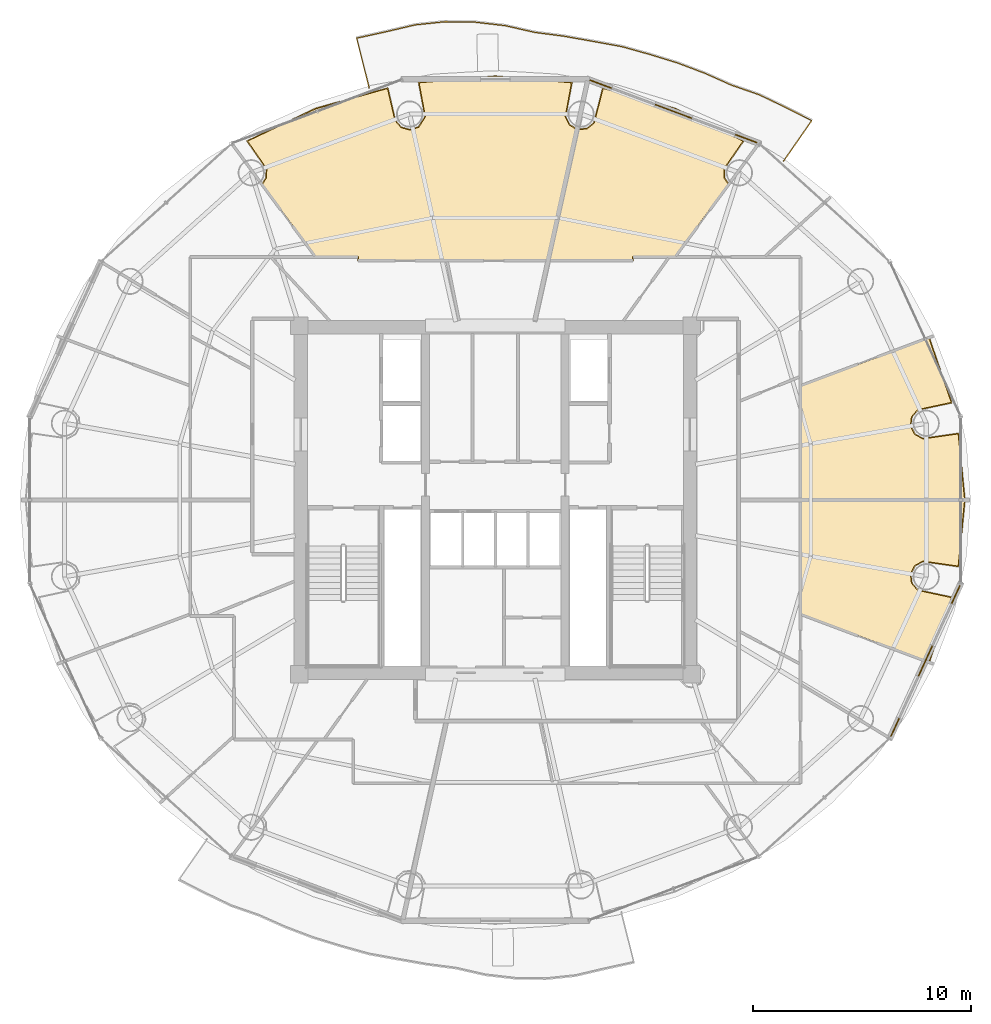
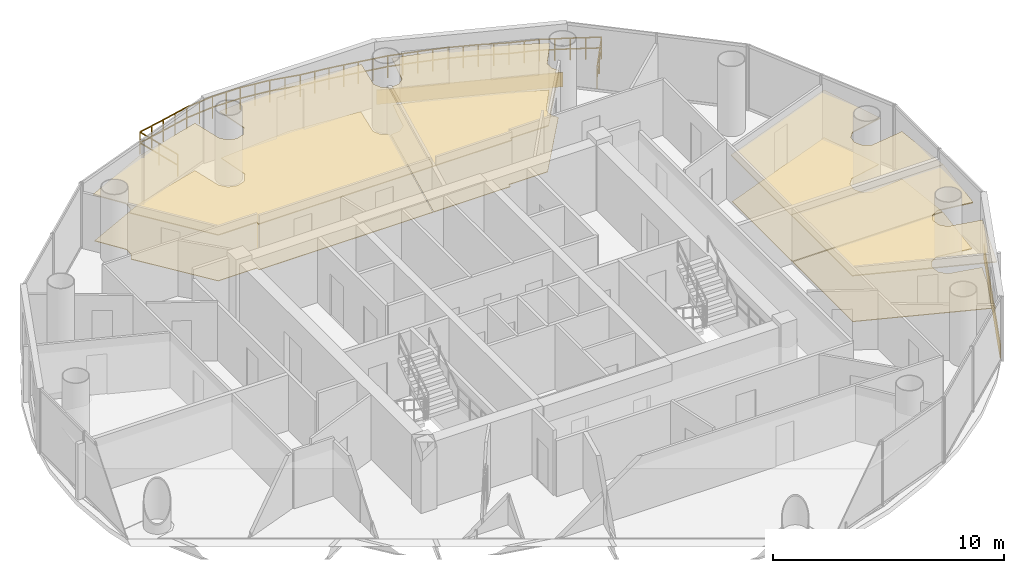
# One storey, part 26 of 26: 10 coverings, 1 railing.
"""IFC4 building model written with IfcOpenShell, lengths in metres."""

from ifc_helpers import new_model, si_unit, direction, frame, origin, origin_2d, place, context, subcontext, project, spatial, polyline, rectangle, outline, extrude, source, transform, mapped, material, layer, layer_set, type_object, element, save


model = new_model("IFC4")

# Units and contexts
model_context = context("Model", 3, precision=1e-05, world=origin(), true_north=direction((-0.2419218956, 0.970295726276)))
body_context = subcontext(model_context, "Body", "Model", "MODEL_VIEW")
ifc_project = project(units=[si_unit("LENGTHUNIT", "METRE"), si_unit("AREAUNIT", "SQUARE_METRE"), si_unit("VOLUMEUNIT", "CUBIC_METRE"), si_unit("PLANEANGLEUNIT", "RADIAN"), si_unit("MASSUNIT", "GRAM", prefix="KILO")], contexts=[model_context])

# Site, building, storey
site_placement = place(None, origin())
site = spatial("IfcSite", under=ifc_project, at=site_placement, CompositionType="ELEMENT")
building_placement = place(site_placement, origin())
building = spatial("IfcBuilding", under=site, at=building_placement, Name="Cobrevalo Terracotta Tower", CompositionType="ELEMENT")
storey_placement = place(building_placement, frame((0.0, 0.0, 217.10009765625)))
storey = spatial("IfcBuildingStorey", under=building, at=storey_placement, Name="L57", CompositionType="ELEMENT", Elevation=217.10009765625)

# Railing
ifc_material_1 = material(Name="Laminated structural glass and stainless steel", Category="steel")
railing_type = type_object("IfcRailingType", Name="Balcony lobe structural glass & terracotta-cap balustrade 1180 mm", PredefinedType="BALUSTRADE", material=ifc_material_1)
railing_placement = place(storey_placement, frame((51.22705078125, 42.34912109375, 0.0)))
element("IfcRailing", 1, at=railing_placement, inside=storey, type_object=railing_type, Name="L57 spiralling balcony lobe balustrade 1", PredefinedType="BALUSTRADE", context=body_context, shape_type="SweptSolid", body=[
    extrude(rectangle(XDim=0.048095703125, YDim=0.048095703125, at=origin_2d()), frame((0.0, 0.0, 1.15576171875), z_axis=(0.57077551687, 0.821106149862, 0.0), x_axis=(-0.821106149862, 0.57077551687, 0.0)), (0.0, 0.0, 1.0), 2.2529296875),
    extrude(rectangle(XDim=0.048095703125, YDim=0.048095703125, at=origin_2d()), frame((0.0, 0.0, 0.58984375), z_axis=(0.57077551687, 0.821106149862, 0.0), x_axis=(-0.821106149862, 0.57077551687, 0.0)), (0.0, 0.0, 1.0), 2.2529296875),
    extrude(rectangle(XDim=0.048095703125, YDim=0.048095703125, at=origin_2d()), frame((1.285888671875, 1.849853515625, 1.15576171875), z_axis=(-0.891841006334, 0.452349001791, 0.0), x_axis=(-0.452349001791, -0.891841006334, 0.0)), (0.0, 0.0, 1.0), 1.34814453125),
    extrude(rectangle(XDim=0.048095703125, YDim=0.048095703125, at=origin_2d()), frame((1.285888671875, 1.849853515625, 0.58984375), z_axis=(-0.891841006334, 0.452349001791, 0.0), x_axis=(-0.452349001791, -0.891841006334, 0.0)), (0.0, 0.0, 1.0), 1.34814453125),
    extrude(rectangle(XDim=0.048095703125, YDim=0.048095703125, at=origin_2d()), frame((0.08349609375, 2.459716796875, 1.15576171875), z_axis=(-0.901505960091, 0.432766685318, 0.0), x_axis=(-0.432766685318, -0.901505960091, 0.0)), (0.0, 0.0, 1.0), 1.3369140625),
    extrude(rectangle(XDim=0.048095703125, YDim=0.048095703125, at=origin_2d()), frame((0.08349609375, 2.459716796875, 0.58984375), z_axis=(-0.901505960091, 0.432766685318, 0.0), x_axis=(-0.432766685318, -0.901505960091, 0.0)), (0.0, 0.0, 1.0), 1.3369140625),
    extrude(rectangle(XDim=0.048095703125, YDim=0.048095703125, at=origin_2d()), frame((-1.121826171875, 3.038330078125, 1.15576171875), z_axis=(-0.944932080508, 0.32726650184, 0.0), x_axis=(-0.32726650184, -0.944932080508, 0.0)), (0.0, 0.0, 1.0), 1.34423828125),
    extrude(rectangle(XDim=0.048095703125, YDim=0.048095703125, at=origin_2d()), frame((-1.121826171875, 3.038330078125, 0.58984375), z_axis=(-0.944932080508, 0.32726650184, 0.0), x_axis=(-0.32726650184, -0.944932080508, 0.0)), (0.0, 0.0, 1.0), 1.34423828125),
    extrude(rectangle(XDim=0.048095703125, YDim=0.048095703125, at=origin_2d()), frame((-2.39208984375, 3.478271484375, 1.15576171875), z_axis=(-0.913675478097, 0.406444486646, 0.0), x_axis=(-0.406444486646, -0.913675478097, 0.0)), (0.0, 0.0, 1.0), 1.332275390625),
    extrude(rectangle(XDim=0.048095703125, YDim=0.048095703125, at=origin_2d()), frame((-2.39208984375, 3.478271484375, 0.58984375), z_axis=(-0.913675478097, 0.406444486646, 0.0), x_axis=(-0.406444486646, -0.913675478097, 0.0)), (0.0, 0.0, 1.0), 1.332275390625),
    extrude(rectangle(XDim=0.048095703125, YDim=0.048095703125, at=origin_2d()), frame((-3.609375, 4.019775390625, 1.15576171875), z_axis=(-0.934869832854, 0.354990697933, 0.0), x_axis=(-0.354990697933, -0.934869832854, 0.0)), (0.0, 0.0, 1.0), 1.334228515625),
    extrude(rectangle(XDim=0.048095703125, YDim=0.048095703125, at=origin_2d()), frame((-3.609375, 4.019775390625, 0.58984375), z_axis=(-0.934869832854, 0.354990697933, 0.0), x_axis=(-0.354990697933, -0.934869832854, 0.0)), (0.0, 0.0, 1.0), 1.334228515625),
    extrude(rectangle(XDim=0.048095703125, YDim=0.048095703125, at=origin_2d()), frame((-4.856689453125, 4.493408203125, 1.15576171875), z_axis=(-0.955948044017, 0.293535921378, 0.0), x_axis=(-0.293535921378, -0.955948044017, 0.0)), (0.0, 0.0, 1.0), 1.341552734375),
    extrude(rectangle(XDim=0.048095703125, YDim=0.048095703125, at=origin_2d()), frame((-4.856689453125, 4.493408203125, 0.58984375), z_axis=(-0.955948044017, 0.293535921378, 0.0), x_axis=(-0.293535921378, -0.955948044017, 0.0)), (0.0, 0.0, 1.0), 1.341552734375),
    extrude(rectangle(XDim=0.048095703125, YDim=0.048095703125, at=origin_2d()), frame((-6.13916015625, 4.88720703125, 1.15576171875), z_axis=(-0.963067940608, 0.269258503622, 0.0), x_axis=(-0.269258503622, -0.963067940608, 0.0)), (0.0, 0.0, 1.0), 1.341064453125),
    extrude(rectangle(XDim=0.048095703125, YDim=0.048095703125, at=origin_2d()), frame((-6.13916015625, 4.88720703125, 0.58984375), z_axis=(-0.963067940608, 0.269258503622, 0.0), x_axis=(-0.269258503622, -0.963067940608, 0.0)), (0.0, 0.0, 1.0), 1.341064453125),
    extrude(rectangle(XDim=0.048095703125, YDim=0.048095703125, at=origin_2d()), frame((-7.4306640625, 5.248291015625, 1.15576171875), z_axis=(-0.983953850579, 0.178423148531, 0.0), x_axis=(-0.178423148531, -0.983953850579, 0.0)), (0.0, 0.0, 1.0), 1.347900390625),
    extrude(rectangle(XDim=0.048095703125, YDim=0.048095703125, at=origin_2d()), frame((-7.4306640625, 5.248291015625, 0.58984375), z_axis=(-0.983953850579, 0.178423148531, 0.0), x_axis=(-0.178423148531, -0.983953850579, 0.0)), (0.0, 0.0, 1.0), 1.347900390625),
    extrude(rectangle(XDim=0.048095703125, YDim=0.048095703125, at=origin_2d()), frame((-8.7568359375, 5.48876953125, 1.15576171875), z_axis=(-0.984600641442, 0.174818697147, 0.0), x_axis=(-0.174818697147, -0.984600641442, 0.0)), (0.0, 0.0, 1.0), 1.34765625),
    extrude(rectangle(XDim=0.048095703125, YDim=0.048095703125, at=origin_2d()), frame((-8.7568359375, 5.48876953125, 0.58984375), z_axis=(-0.984600641442, 0.174818697147, 0.0), x_axis=(-0.174818697147, -0.984600641442, 0.0)), (0.0, 0.0, 1.0), 1.34765625),
    extrude(rectangle(XDim=0.048095703125, YDim=0.048095703125, at=origin_2d()), frame((-10.083740234375, 5.724365234375, 1.15576171875), z_axis=(-0.991544969389, 0.129763529849, 0.0), x_axis=(-0.129763529849, -0.991544969389, 0.0)), (0.0, 0.0, 1.0), 1.352783203125),
    extrude(rectangle(XDim=0.048095703125, YDim=0.048095703125, at=origin_2d()), frame((-10.083740234375, 5.724365234375, 0.58984375), z_axis=(-0.991544969389, 0.129763529849, 0.0), x_axis=(-0.129763529849, -0.991544969389, 0.0)), (0.0, 0.0, 1.0), 1.352783203125),
    extrude(rectangle(XDim=0.048095703125, YDim=0.048095703125, at=origin_2d()), frame((-11.425048828125, 5.89990234375, 1.15576171875), z_axis=(-0.975014859244, 0.222139650342, 0.0), x_axis=(-0.222139650342, -0.975014859244, 0.0)), (0.0, 0.0, 1.0), 1.3837890625),
    extrude(rectangle(XDim=0.048095703125, YDim=0.048095703125, at=origin_2d()), frame((-11.425048828125, 5.89990234375, 0.58984375), z_axis=(-0.975014859244, 0.222139650342, 0.0), x_axis=(-0.222139650342, -0.975014859244, 0.0)), (0.0, 0.0, 1.0), 1.3837890625),
    extrude(rectangle(XDim=0.048095703125, YDim=0.048095703125, at=origin_2d()), frame((-12.774169921875, 6.207275390625, 1.15576171875), z_axis=(-0.993471530251, 0.114080316363, 0.0), x_axis=(-0.114080316363, -0.993471530251, 0.0)), (0.0, 0.0, 1.0), 1.38037109375),
    extrude(rectangle(XDim=0.048095703125, YDim=0.048095703125, at=origin_2d()), frame((-12.774169921875, 6.207275390625, 0.58984375), z_axis=(-0.993471530251, 0.114080316363, 0.0), x_axis=(-0.114080316363, -0.993471530251, 0.0)), (0.0, 0.0, 1.0), 1.38037109375),
    extrude(rectangle(XDim=0.048095703125, YDim=0.048095703125, at=origin_2d()), frame((-14.1455078125, 6.36474609375, 1.15576171875), z_axis=(-0.999876699947, 0.01570302211, 0.0), x_axis=(-0.01570302211, -0.999876699947, 0.0)), (0.0, 0.0, 1.0), 1.3837890625),
    extrude(rectangle(XDim=0.048095703125, YDim=0.048095703125, at=origin_2d()), frame((-14.1455078125, 6.36474609375, 0.58984375), z_axis=(-0.999876699947, 0.01570302211, 0.0), x_axis=(-0.01570302211, -0.999876699947, 0.0)), (0.0, 0.0, 1.0), 1.3837890625),
    extrude(rectangle(XDim=0.048095703125, YDim=0.048095703125, at=origin_2d()), frame((-15.529052734375, 6.386474609375, 1.15576171875), z_axis=(-0.994512240733, -0.104620280219, 0.0), x_axis=(0.104620280219, -0.994512240733, 0.0)), (0.0, 0.0, 1.0), 1.379150390625),
    extrude(rectangle(XDim=0.048095703125, YDim=0.048095703125, at=origin_2d()), frame((-15.529052734375, 6.386474609375, 0.58984375), z_axis=(-0.994512240733, -0.104620280219, 0.0), x_axis=(0.104620280219, -0.994512240733, 0.0)), (0.0, 0.0, 1.0), 1.379150390625),
    extrude(rectangle(XDim=0.048095703125, YDim=0.048095703125, at=origin_2d()), frame((-16.900634765625, 6.2421875, 1.15576171875), z_axis=(-0.973537658475, -0.228526645122, 0.0), x_axis=(0.228526645122, -0.973537658475, 0.0)), (0.0, 0.0, 1.0), 1.38037109375),
    extrude(rectangle(XDim=0.048095703125, YDim=0.048095703125, at=origin_2d()), frame((-16.900634765625, 6.2421875, 0.58984375), z_axis=(-0.973537658475, -0.228526645122, 0.0), x_axis=(0.228526645122, -0.973537658475, 0.0)), (0.0, 0.0, 1.0), 1.38037109375),
    extrude(rectangle(XDim=0.048095703125, YDim=0.048095703125, at=origin_2d()), frame((-18.244384765625, 5.9267578125, 1.15576171875), z_axis=(-0.976847781317, -0.213935532664, 0.0), x_axis=(0.213935532664, -0.976847781317, 0.0)), (0.0, 0.0, 1.0), 1.372802734375),
    extrude(rectangle(XDim=0.048095703125, YDim=0.048095703125, at=origin_2d()), frame((-18.244384765625, 5.9267578125, 0.58984375), z_axis=(-0.976847781317, -0.213935532664, 0.0), x_axis=(0.213935532664, -0.976847781317, 0.0)), (0.0, 0.0, 1.0), 1.372802734375),
    extrude(rectangle(XDim=0.048095703125, YDim=0.048095703125, at=origin_2d()), frame((-19.58544921875, 5.633056640625, 1.15576171875), z_axis=(0.242803147392, -0.970075580363, 0.0), x_axis=(0.970075580363, 0.242803147392, 0.0)), (0.0, 0.0, 1.0), 2.362060546875),
    extrude(rectangle(XDim=0.048095703125, YDim=0.048095703125, at=origin_2d()), frame((-19.58544921875, 5.633056640625, 0.58984375), z_axis=(0.242803147392, -0.970075580363, 0.0), x_axis=(0.970075580363, 0.242803147392, 0.0)), (0.0, 0.0, 1.0), 2.362060546875),
    extrude(rectangle(XDim=0.0419921875, YDim=0.0419921875, at=origin_2d()), origin(), (0.0, 0.0, 1.0), 1.1318359375),
    extrude(rectangle(XDim=0.0419921875, YDim=0.0419921875, at=origin_2d()), frame((0.64306640625, 0.9248046875, 0.0)), (0.0, 0.0, 1.0), 1.1318359375),
    extrude(rectangle(XDim=0.0419921875, YDim=0.0419921875, at=origin_2d()), frame((1.285888671875, 1.849853515625, 0.0)), (0.0, 0.0, 1.0), 1.1318359375),
    extrude(rectangle(XDim=0.0419921875, YDim=0.0419921875, at=origin_2d()), frame((0.6845703125, 2.15478515625, 0.0)), (0.0, 0.0, 1.0), 1.1318359375),
    extrude(rectangle(XDim=0.0419921875, YDim=0.0419921875, at=origin_2d()), frame((0.08349609375, 2.459716796875, 0.0)), (0.0, 0.0, 1.0), 1.1318359375),
    extrude(rectangle(XDim=0.0419921875, YDim=0.0419921875, at=origin_2d()), frame((-0.51904296875, 2.7490234375, 0.0)), (0.0, 0.0, 1.0), 1.1318359375),
    extrude(rectangle(XDim=0.0419921875, YDim=0.0419921875, at=origin_2d()), frame((-1.121826171875, 3.038330078125, 0.0)), (0.0, 0.0, 1.0), 1.1318359375),
    extrude(rectangle(XDim=0.0419921875, YDim=0.0419921875, at=origin_2d()), frame((-1.7568359375, 3.25830078125, 0.0)), (0.0, 0.0, 1.0), 1.1318359375),
    extrude(rectangle(XDim=0.0419921875, YDim=0.0419921875, at=origin_2d()), frame((-2.39208984375, 3.478271484375, 0.0)), (0.0, 0.0, 1.0), 1.1318359375),
    extrude(rectangle(XDim=0.0419921875, YDim=0.0419921875, at=origin_2d()), frame((-3.000732421875, 3.7490234375, 0.0)), (0.0, 0.0, 1.0), 1.1318359375),
    extrude(rectangle(XDim=0.0419921875, YDim=0.0419921875, at=origin_2d()), frame((-3.609375, 4.019775390625, 0.0)), (0.0, 0.0, 1.0), 1.1318359375),
    extrude(rectangle(XDim=0.0419921875, YDim=0.0419921875, at=origin_2d()), frame((-4.23291015625, 4.256591796875, 0.0)), (0.0, 0.0, 1.0), 1.1318359375),
    extrude(rectangle(XDim=0.0419921875, YDim=0.0419921875, at=origin_2d()), frame((-4.856689453125, 4.493408203125, 0.0)), (0.0, 0.0, 1.0), 1.1318359375),
    extrude(rectangle(XDim=0.0419921875, YDim=0.0419921875, at=origin_2d()), frame((-5.498046875, 4.6904296875, 0.0)), (0.0, 0.0, 1.0), 1.1318359375),
    extrude(rectangle(XDim=0.0419921875, YDim=0.0419921875, at=origin_2d()), frame((-6.13916015625, 4.88720703125, 0.0)), (0.0, 0.0, 1.0), 1.1318359375),
    extrude(rectangle(XDim=0.0419921875, YDim=0.0419921875, at=origin_2d()), frame((-6.784912109375, 5.06787109375, 0.0)), (0.0, 0.0, 1.0), 1.1318359375),
    extrude(rectangle(XDim=0.0419921875, YDim=0.0419921875, at=origin_2d()), frame((-7.4306640625, 5.248291015625, 0.0)), (0.0, 0.0, 1.0), 1.1318359375),
    extrude(rectangle(XDim=0.0419921875, YDim=0.0419921875, at=origin_2d()), frame((-8.09375, 5.36865234375, 0.0)), (0.0, 0.0, 1.0), 1.1318359375),
    extrude(rectangle(XDim=0.0419921875, YDim=0.0419921875, at=origin_2d()), frame((-8.7568359375, 5.48876953125, 0.0)), (0.0, 0.0, 1.0), 1.1318359375),
    extrude(rectangle(XDim=0.0419921875, YDim=0.0419921875, at=origin_2d()), frame((-9.42041015625, 5.6064453125, 0.0)), (0.0, 0.0, 1.0), 1.1318359375),
    extrude(rectangle(XDim=0.0419921875, YDim=0.0419921875, at=origin_2d()), frame((-10.083740234375, 5.724365234375, 0.0)), (0.0, 0.0, 1.0), 1.1318359375),
    extrude(rectangle(XDim=0.0419921875, YDim=0.0419921875, at=origin_2d()), frame((-10.75439453125, 5.81201171875, 0.0)), (0.0, 0.0, 1.0), 1.1318359375),
    extrude(rectangle(XDim=0.0419921875, YDim=0.0419921875, at=origin_2d()), frame((-11.425048828125, 5.89990234375, 0.0)), (0.0, 0.0, 1.0), 1.1318359375),
    extrude(rectangle(XDim=0.0419921875, YDim=0.0419921875, at=origin_2d()), frame((-12.099609375, 6.0537109375, 0.0)), (0.0, 0.0, 1.0), 1.1318359375),
    extrude(rectangle(XDim=0.0419921875, YDim=0.0419921875, at=origin_2d()), frame((-12.774169921875, 6.207275390625, 0.0)), (0.0, 0.0, 1.0), 1.1318359375),
    extrude(rectangle(XDim=0.0419921875, YDim=0.0419921875, at=origin_2d()), frame((-13.4599609375, 6.2861328125, 0.0)), (0.0, 0.0, 1.0), 1.1318359375),
    extrude(rectangle(XDim=0.0419921875, YDim=0.0419921875, at=origin_2d()), frame((-14.1455078125, 6.36474609375, 0.0)), (0.0, 0.0, 1.0), 1.1318359375),
    extrude(rectangle(XDim=0.0419921875, YDim=0.0419921875, at=origin_2d()), frame((-14.83740234375, 6.37548828125, 0.0)), (0.0, 0.0, 1.0), 1.1318359375),
    extrude(rectangle(XDim=0.0419921875, YDim=0.0419921875, at=origin_2d()), frame((-15.529052734375, 6.386474609375, 0.0)), (0.0, 0.0, 1.0), 1.1318359375),
    extrude(rectangle(XDim=0.0419921875, YDim=0.0419921875, at=origin_2d()), frame((-16.21484375, 6.314453125, 0.0)), (0.0, 0.0, 1.0), 1.1318359375),
    extrude(rectangle(XDim=0.0419921875, YDim=0.0419921875, at=origin_2d()), frame((-16.900634765625, 6.2421875, 0.0)), (0.0, 0.0, 1.0), 1.1318359375),
    extrude(rectangle(XDim=0.0419921875, YDim=0.0419921875, at=origin_2d()), frame((-17.572509765625, 6.08447265625, 0.0)), (0.0, 0.0, 1.0), 1.1318359375),
    extrude(rectangle(XDim=0.0419921875, YDim=0.0419921875, at=origin_2d()), frame((-18.244384765625, 5.9267578125, 0.0)), (0.0, 0.0, 1.0), 1.1318359375),
    extrude(rectangle(XDim=0.0419921875, YDim=0.0419921875, at=origin_2d()), frame((-18.9150390625, 5.77978515625, 0.0)), (0.0, 0.0, 1.0), 1.1318359375),
    extrude(rectangle(XDim=0.0419921875, YDim=0.0419921875, at=origin_2d()), frame((-19.58544921875, 5.633056640625, 0.0)), (0.0, 0.0, 1.0), 1.1318359375),
    extrude(rectangle(XDim=0.0419921875, YDim=0.0419921875, at=origin_2d()), frame((-19.298828125, 4.4873046875, 0.0)), (0.0, 0.0, 1.0), 1.1318359375),
    extrude(rectangle(XDim=0.0419921875, YDim=0.0419921875, at=origin_2d()), frame((-19.011962890625, 3.341796875, 0.0)), (0.0, 0.0, 1.0), 1.1318359375),
])

# Coverings
ifc_material_2 = material(Name="Engineered Brazilian hardwood flooring", Category="wood")
ifc_layer_1 = layer(ifc_material_2, 0.028076171875)
ifc_layer_set_1 = layer_set([ifc_layer_1], Name="Engineered Brazilian hardwood flooring")
covering_type_1 = type_object("IfcCoveringType", Name="Engineered Hardwood Suite Flooring 28", PredefinedType="FLOORING", material=ifc_layer_set_1)
covering_1_placement = place(storey_placement, origin())
element("IfcCovering", 2, at=covering_1_placement, inside=storey, type_object=covering_type_1, Name="Flat L57A Living and Dining Room floor finish", PredefinedType="FLOORING", context=body_context, shape_type="SweptSolid", body=[
    extrude(outline(polyline([(57.885498046875, 34.221923828125), (58.90771484375, 31.277099609375), (57.364013671875, 30.94482421875), (57.0849609375, 30.6181640625), (57.0341796875, 30.191650390625), (57.229248046875, 29.80859375), (57.60400390625, 29.5986328125), (59.2265625, 29.83056640625), (59.5185546875, 26.820068359375), (52.014892578125, 26.820068359375), (52.014892578125, 32.024658203125), (57.885498046875, 34.221923828125)])), origin(), (0.0, 0.0, 1.0), 0.02978515625),
])
covering_2_placement = place(storey_placement, origin())
element("IfcCovering", 3, at=covering_2_placement, inside=storey, type_object=covering_type_1, Name="Flat L57A Principal Guest Bedroom floor finish", PredefinedType="FLOORING", context=body_context, shape_type="SweptSolid", body=[
    extrude(outline(polyline([(49.3544921875, 43.259765625), (48.477294921875, 41.98974609375), (48.497314453125, 41.560546875), (48.681396484375, 41.279541015625), (46.23046875, 37.965087890625), (44.284912109375, 37.965087890625), (44.284912109375, 37.804931640625), (40.44287109375, 37.804931640625), (41.759765625, 43.78759765625), (42.198974609375, 43.813232421875), (42.537109375, 44.078369140625), (42.9482421875, 45.669921875), (46.236083984375, 44.741455078125), (49.3544921875, 43.259765625)])), origin(), (0.0, 0.0, 1.0), 0.02978515625),
])
covering_3_placement = place(storey_placement, origin())
element("IfcCovering", 4, at=covering_3_placement, inside=storey, type_object=covering_type_1, Name="Flat L57B Penthouse Living and Dining Room floor finish", PredefinedType="FLOORING", context=body_context, shape_type="SweptSolid", body=[
    extrude(outline(polyline([(29.763916015625, 44.741455078125), (33.0517578125, 45.669921875), (33.3916015625, 44.204833984375), (33.67138671875, 43.87890625), (34.08544921875, 43.76318359375), (34.49365234375, 43.89697265625), (34.7978515625, 44.375), (34.509765625, 45.931640625), (38.0, 46.219970703125), (41.490234375, 45.931640625), (41.2021484375, 44.375), (41.396240234375, 43.991455078125), (41.720947265625, 43.797119140625), (40.40185546875, 37.804931640625), (31.715087890625, 37.804931640625), (31.715087890625, 37.965087890625), (29.76953125, 37.965087890625), (27.318603515625, 41.279541015625), (27.502685546875, 41.560546875), (27.522705078125, 41.98974609375), (26.6455078125, 43.259765625), (29.763916015625, 44.741455078125)])), origin(), (0.0, 0.0, 1.0), 0.02978515625),
])
covering_4_placement = place(storey_placement, origin())
element("IfcCovering", 5, at=covering_4_placement, inside=storey, type_object=covering_type_1, Name="Flat L57D Penthouse Family Lounge floor finish", PredefinedType="FLOORING", context=body_context, shape_type="SweptSolid", body=[
    extrude(outline(polyline([(52.014892578125, 21.575439453125), (52.014892578125, 26.780029296875), (59.5185546875, 26.780029296875), (59.2265625, 23.76953125), (57.60400390625, 24.00146484375), (57.229248046875, 23.791259765625), (57.0341796875, 23.408447265625), (57.0849609375, 22.981689453125), (57.364013671875, 22.655029296875), (58.90771484375, 22.322998046875), (57.885498046875, 19.3779296875), (52.014892578125, 21.575439453125)])), origin(), (0.0, 0.0, 1.0), 0.02978515625),
])
ifc_material_3 = material(Name="Acoustic perforated gypsum ceiling", Category="gypsum")
ifc_layer_2 = layer(ifc_material_3, 0.050048828125)
ifc_layer_set_2 = layer_set([ifc_layer_2], Name="Acoustic perforated gypsum ceiling")
covering_type_2 = type_object("IfcCoveringType", Name="Perforated Acoustic Gypsum Ceiling 50", PredefinedType="CEILING", material=ifc_layer_set_2)
covering_5_placement = place(storey_placement, frame((0.0, 0.0, 2.44482421875)))
element("IfcCovering", 6, at=covering_5_placement, inside=storey, type_object=covering_type_2, Name="Flat L57A Living and Dining Room acoustic ceiling", PredefinedType="CEILING", context=body_context, shape_type="SweptSolid", body=[
    extrude(outline(polyline([(57.911865234375, 34.280029296875), (58.961669921875, 31.240966796875), (57.388427734375, 30.90673828125), (57.126220703125, 30.60009765625), (57.07861328125, 30.199462890625), (57.26171875, 29.83984375), (57.613525390625, 29.642578125), (59.26123046875, 29.88232421875), (59.56689453125, 26.77490234375), (51.969970703125, 26.77490234375), (51.969970703125, 32.055908203125), (57.911865234375, 34.280029296875)])), origin(), (0.0, 0.0, 1.0), 0.050048828125),
])
covering_6_placement = place(storey_placement, frame((0.0, 0.0, 2.44482421875)))
element("IfcCovering", 7, at=covering_6_placement, inside=storey, type_object=covering_type_2, Name="Flat L57A Principal Guest Bedroom acoustic ceiling", PredefinedType="CEILING", context=body_context, shape_type="SweptSolid", body=[
    extrude(outline(polyline([(49.420166015625, 43.272705078125), (48.521240234375, 41.978759765625), (48.539794921875, 41.57568359375), (48.74169921875, 41.285400390625), (46.253173828125, 37.919921875), (44.330078125, 37.919921875), (44.330078125, 37.760009765625), (40.386962890625, 37.760009765625), (41.724853515625, 43.838623046875), (42.1826171875, 43.85546875), (42.500244140625, 44.1044921875), (42.91357421875, 45.7216796875), (46.251708984375, 44.78369140625), (49.420166015625, 43.272705078125)])), origin(), (0.0, 0.0, 1.0), 0.050048828125),
])
covering_7_placement = place(storey_placement, frame((0.0, 0.0, 2.44482421875)))
element("IfcCovering", 8, at=covering_7_placement, inside=storey, type_object=covering_type_2, Name="Flat L57B Penthouse Living and Dining Room acoustic ceiling", PredefinedType="CEILING", context=body_context, shape_type="SweptSolid", body=[
    extrude(outline(polyline([(29.748291015625, 44.78369140625), (33.08642578125, 45.7216796875), (33.43310546875, 44.22314453125), (33.69580078125, 43.9169921875), (34.084228515625, 43.808349609375), (34.4677734375, 43.93408203125), (34.753173828125, 44.3828125), (34.455810546875, 45.967529296875), (38.0, 46.26513671875), (41.544189453125, 45.967529296875), (41.246826171875, 44.3828125), (41.428955078125, 44.02294921875), (41.7734375, 43.8271484375), (40.43798828125, 37.760009765625), (31.669921875, 37.760009765625), (31.669921875, 37.919921875), (29.746826171875, 37.919921875), (27.25830078125, 41.285400390625), (27.460205078125, 41.57568359375), (27.478759765625, 41.978759765625), (26.579833984375, 43.272705078125), (29.748291015625, 44.78369140625)])), origin(), (0.0, 0.0, 1.0), 0.050048828125),
])
covering_8_placement = place(storey_placement, frame((0.0, 0.0, 2.44482421875)))
element("IfcCovering", 9, at=covering_8_placement, inside=storey, type_object=covering_type_2, Name="Flat L57D Penthouse Family Lounge acoustic ceiling", PredefinedType="CEILING", context=body_context, shape_type="SweptSolid", body=[
    extrude(outline(polyline([(51.969970703125, 21.544189453125), (51.969970703125, 26.824951171875), (59.56689453125, 26.824951171875), (59.26123046875, 23.717529296875), (57.613525390625, 23.957275390625), (57.26171875, 23.760009765625), (57.07861328125, 23.400634765625), (57.126220703125, 23.0), (57.388427734375, 22.693359375), (58.961669921875, 22.359130859375), (57.911865234375, 19.320068359375), (51.969970703125, 21.544189453125)])), origin(), (0.0, 0.0, 1.0), 0.050048828125),
])
ifc_material_4 = material(Name="Glazed terracotta facade cladding tile", Category="masonry")
ifc_layer_3 = layer(ifc_material_4, 0.044921875)
ifc_layer_set_3 = layer_set([ifc_layer_3], Name="Glazed terracotta facade cladding tile")
covering_type_3 = type_object("IfcCoveringType", Name="Architectural terracotta rainscreen spandrel cladding 45 mm", PredefinedType="CLADDING", material=ifc_layer_set_3)
shared_shape_1 = source(origin(), body_context, "Body", "SweptSolid", [
    extrude(rectangle(XDim=7.60009765625, YDim=0.044921875, at=origin_2d()), origin(), (0.0, 0.0, 1.0), 0.760009765625),
])
covering_9_placement = place(storey_placement, frame((57.726318359375, 19.417236328125, 0.0400390625), z_axis=(0.0, 0.0, 1.0), x_axis=(0.416731425355, 0.909029657999, 0.0)))
element("IfcCovering", 10, at=covering_9_placement, inside=storey, type_object=covering_type_3, Name="L57 terracotta spandrel cladding S15", PredefinedType="CLADDING", context=body_context, shape_type="MappedRepresentation", body=[
    mapped(shared_shape_1, transform((0.0, 0.0, 0.0), scale=1.0)),
])
shared_shape_2 = source(origin(), body_context, "Body", "SweptSolid", [
    extrude(rectangle(XDim=8.17919921875, YDim=0.044921875, at=origin_2d()), origin(), (0.0, 0.0, 1.0), 0.760009765625),
])
covering_10_placement = place(storey_placement, frame((46.1708984375, 44.62353515625, 0.0400390625), z_axis=(0.0, 0.0, 1.0), x_axis=(-0.936557839879, 0.350513070458, 0.0)))
element("IfcCovering", 11, at=covering_10_placement, inside=storey, type_object=covering_type_3, Name="L57 terracotta spandrel cladding S03", PredefinedType="CLADDING", context=body_context, shape_type="MappedRepresentation", body=[
    mapped(shared_shape_2, transform((0.0, 0.0, 0.0), scale=1.0)),
])

save(model, "model.ifc")
